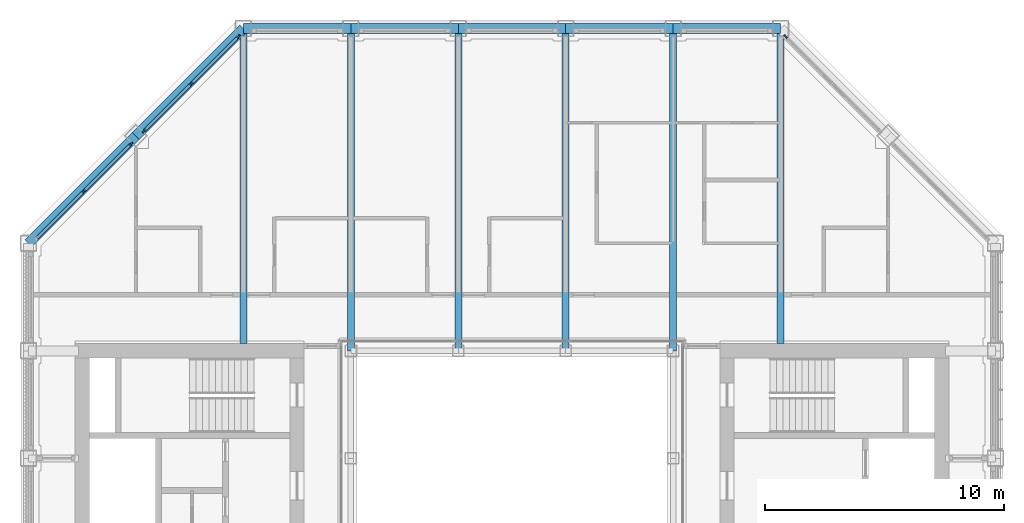
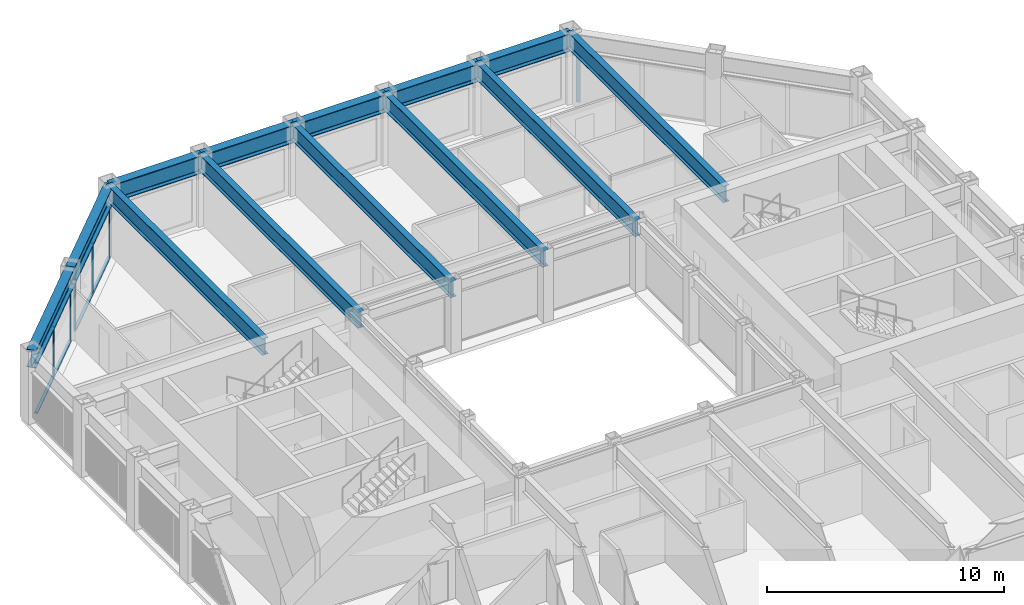
# One storey, part 6 of 18: 14 members, 13 beams, 3 elements without a shape of their own.
"""IFC4 building model written with IfcOpenShell, lengths in metres."""

from ifc_helpers import new_model, si_unit, direction, frame, origin, origin_2d, place, context, subcontext, project, spatial, rectangle, i_section, extrude, material, material_profile, profile_set, type_object, element, aggregate, save


model = new_model("IFC4")

# Units and contexts
model_context = context("Model", 3, precision=1e-05, world=origin(), true_north=direction((0.0, 1.0)))
body_context = subcontext(model_context, "Body", "Model", "MODEL_VIEW")
ifc_project = project(units=[si_unit("LENGTHUNIT", "METRE"), si_unit("AREAUNIT", "SQUARE_METRE"), si_unit("VOLUMEUNIT", "CUBIC_METRE"), si_unit("PLANEANGLEUNIT", "RADIAN"), si_unit("MASSUNIT", "GRAM", prefix="KILO")], contexts=[model_context])

# Site, building, storey
site_placement = place(None, origin())
site = spatial("IfcSite", under=ifc_project, at=site_placement, CompositionType="ELEMENT")
building_placement = place(site_placement, origin())
building = spatial("IfcBuilding", under=site, at=building_placement, Name="Msasa Ring Tower", CompositionType="ELEMENT")
storey_placement = place(building_placement, frame((0.0, 0.0, 227.050048828125)))
storey = spatial("IfcBuildingStorey", under=building, at=storey_placement, Name="L59", CompositionType="ELEMENT", Elevation=227.050048828125)

# Curtain wall, member
ifc_material_1 = material(Name="Aluminium curtain wall with clear glass", Category="aluminium")
curtain_wall_type = type_object("IfcCurtainWallType", Name="CW-C CHAMFER CORNER CURTAIN WALL", PredefinedType="NOTDEFINED", material=ifc_material_1)
curtain_wall_1_placement = place(storey_placement, origin())
curtain_wall_1 = element("IfcCurtainWall", 1, at=curtain_wall_1_placement, inside=storey, type_object=curtain_wall_type, Name="Chamfer corner curtain wall NE L59", PredefinedType="NOTDEFINED")
ifc_material_2 = material(Name="Aluminium mullion", Category="aluminium")
ifc_material_profile_1 = material_profile(ifc_material_2, rectangle(XDim=0.06494140625, YDim=0.179931640625, at=origin_2d()), Name="AL 65x180")
ifc_profile_set_1 = profile_set([ifc_material_profile_1], Name="Aluminium mullion")
member_type_1 = type_object("IfcMemberType", Name="CW-C MULLION 65x180", PredefinedType="MULLION", material=ifc_profile_set_1)
member_1_placement = place(storey_placement, frame((11.453369140625, 19.9052734375, 0.0), z_axis=(0.0, 0.0, 1.0), x_axis=(-0.707106781187, -0.707106781187, 0.0)))
member_1 = element("IfcMember", 2, at=member_1_placement, type_object=member_type_1, Name="CW-C mullion 3", PredefinedType="MULLION", context=body_context, shape_type="SweptSolid", body=[
    extrude(rectangle(XDim=0.06494140625, YDim=0.179931640625, at=origin_2d()), origin(), (0.0, 0.0, 1.0), 2.62890625),
])
aggregate(curtain_wall_1, [member_1])

# Curtain wall, members
curtain_wall_2_placement = place(storey_placement, origin())
curtain_wall_2 = element("IfcCurtainWall", 3, at=curtain_wall_2_placement, inside=storey, type_object=curtain_wall_type, Name="Chamfer corner curtain wall NW L59", PredefinedType="NOTDEFINED")
member_2_placement = place(storey_placement, frame((-15.953369140625, 15.4052734375, 0.0), z_axis=(0.0, 0.0, 1.0), x_axis=(0.707106781187, -0.707106781187, 0.0)))
member_2 = element("IfcMember", 4, at=member_2_placement, type_object=member_type_1, Name="CW-C mullion 1", PredefinedType="MULLION", context=body_context, shape_type="SweptSolid", body=[
    extrude(rectangle(XDim=0.06494140625, YDim=0.179931640625, at=origin_2d()), origin(), (0.0, 0.0, 1.0), 2.62890625),
])
member_3_placement = place(storey_placement, frame((-17.92919921875, 13.42919921875, 0.0), z_axis=(0.0, 0.0, 1.0), x_axis=(0.707106781187, -0.707106781187, 0.0)))
member_3 = element("IfcMember", 5, at=member_3_placement, type_object=member_type_1, Name="CW-C mullion 2", PredefinedType="MULLION", context=body_context, shape_type="SweptSolid", body=[
    extrude(rectangle(XDim=0.06494140625, YDim=0.179931640625, at=origin_2d()), origin(), (0.0, 0.0, 1.0), 2.62890625),
])

curtain_wall_3_placement = place(storey_placement, origin())
curtain_wall_3 = element("IfcCurtainWall", 6, at=curtain_wall_3_placement, inside=storey, type_object=curtain_wall_type, Name="Chamfer corner curtain wall NW L59", PredefinedType="NOTDEFINED")
member_4_placement = place(storey_placement, frame((-11.453369140625, 19.9052734375, 0.0), z_axis=(0.0, 0.0, 1.0), x_axis=(0.707106781187, -0.707106781187, 0.0)))
member_4 = element("IfcMember", 7, at=member_4_placement, type_object=member_type_1, Name="CW-C mullion 1", PredefinedType="MULLION", context=body_context, shape_type="SweptSolid", body=[
    extrude(rectangle(XDim=0.06494140625, YDim=0.179931640625, at=origin_2d()), origin(), (0.0, 0.0, 1.0), 2.62890625),
])
member_5_placement = place(storey_placement, frame((-13.42919921875, 17.92919921875, 0.0), z_axis=(0.0, 0.0, 1.0), x_axis=(0.707106781187, -0.707106781187, 0.0)))
member_5 = element("IfcMember", 8, at=member_5_placement, type_object=member_type_1, Name="CW-C mullion 2", PredefinedType="MULLION", context=body_context, shape_type="SweptSolid", body=[
    extrude(rectangle(XDim=0.06494140625, YDim=0.179931640625, at=origin_2d()), origin(), (0.0, 0.0, 1.0), 2.62890625),
])
member_6_placement = place(storey_placement, frame((-15.4052734375, 15.953369140625, 0.0), z_axis=(0.0, 0.0, 1.0), x_axis=(0.707106781187, -0.707106781187, 0.0)))
member_6 = element("IfcMember", 9, at=member_6_placement, type_object=member_type_1, Name="CW-C mullion 3", PredefinedType="MULLION", context=body_context, shape_type="SweptSolid", body=[
    extrude(rectangle(XDim=0.06494140625, YDim=0.179931640625, at=origin_2d()), origin(), (0.0, 0.0, 1.0), 2.62890625),
])

# Member
ifc_material_3 = material(Name="Aluminium transom", Category="aluminium")
ifc_material_profile_2 = material_profile(ifc_material_3, rectangle(XDim=0.139892578125, YDim=0.06494140625, at=origin_2d()), Name="AL 65x140")
ifc_profile_set_2 = profile_set([ifc_material_profile_2], Name="Aluminium transom")
member_type_2 = type_object("IfcMemberType", Name="CW-C TRANSOM 65x140", PredefinedType="USERDEFINED", material=ifc_profile_set_2)
member_7_placement = place(storey_placement, frame((-15.976318359375, 15.38232421875, 0.032470703125), z_axis=(-0.707106781187, -0.707106781187, 0.0), x_axis=(0.707106781187, -0.707106781187, 0.0)))
member_7 = element("IfcMember", 10, at=member_7_placement, type_object=member_type_2, Name="CW-C transom 1.1", ObjectType="TRANSOM", PredefinedType="USERDEFINED", context=body_context, shape_type="SweptSolid", body=[
    extrude(rectangle(XDim=0.139892578125, YDim=0.06494140625, at=origin_2d()), origin(), (0.0, 0.0, 1.0), 2.729248046875),
])

member_8_placement = place(storey_placement, frame((-15.976318359375, 15.38232421875, 2.596435546875), z_axis=(-0.707106781187, -0.707106781187, 0.0), x_axis=(0.707106781187, -0.707106781187, 0.0)))
member_8 = element("IfcMember", 11, at=member_8_placement, type_object=member_type_2, Name="CW-C transom 1.2", ObjectType="TRANSOM", PredefinedType="USERDEFINED", context=body_context, shape_type="SweptSolid", body=[
    extrude(rectangle(XDim=0.139892578125, YDim=0.06494140625, at=origin_2d()), origin(), (0.0, 0.0, 1.0), 2.729248046875),
])

member_9_placement = place(storey_placement, frame((-17.952392578125, 13.40625, 0.032470703125), z_axis=(-0.707106781187, -0.707106781187, 0.0), x_axis=(0.707106781187, -0.707106781187, 0.0)))
member_9 = element("IfcMember", 12, at=member_9_placement, type_object=member_type_2, Name="CW-C transom 2.1", ObjectType="TRANSOM", PredefinedType="USERDEFINED", context=body_context, shape_type="SweptSolid", body=[
    extrude(rectangle(XDim=0.139892578125, YDim=0.06494140625, at=origin_2d()), origin(), (0.0, 0.0, 1.0), 2.729248046875),
])

member_10_placement = place(storey_placement, frame((-17.952392578125, 13.40625, 2.596435546875), z_axis=(-0.707106781187, -0.707106781187, 0.0), x_axis=(0.707106781187, -0.707106781187, 0.0)))
member_10 = element("IfcMember", 13, at=member_10_placement, type_object=member_type_2, Name="CW-C transom 2.2", ObjectType="TRANSOM", PredefinedType="USERDEFINED", context=body_context, shape_type="SweptSolid", body=[
    extrude(rectangle(XDim=0.139892578125, YDim=0.06494140625, at=origin_2d()), origin(), (0.0, 0.0, 1.0), 2.729248046875),
])

aggregate(curtain_wall_2, [member_2, member_3, member_7, member_8, member_9, member_10])

member_11_placement = place(storey_placement, frame((-11.476318359375, 19.88232421875, 0.032470703125), z_axis=(-0.707106781187, -0.707106781187, 0.0), x_axis=(0.707106781187, -0.707106781187, 0.0)))
member_11 = element("IfcMember", 14, at=member_11_placement, type_object=member_type_2, Name="CW-C transom 1.1", ObjectType="TRANSOM", PredefinedType="USERDEFINED", context=body_context, shape_type="SweptSolid", body=[
    extrude(rectangle(XDim=0.139892578125, YDim=0.06494140625, at=origin_2d()), origin(), (0.0, 0.0, 1.0), 2.729248046875),
])

member_12_placement = place(storey_placement, frame((-11.476318359375, 19.88232421875, 2.596435546875), z_axis=(-0.707106781187, -0.707106781187, 0.0), x_axis=(0.707106781187, -0.707106781187, 0.0)))
member_12 = element("IfcMember", 15, at=member_12_placement, type_object=member_type_2, Name="CW-C transom 1.2", ObjectType="TRANSOM", PredefinedType="USERDEFINED", context=body_context, shape_type="SweptSolid", body=[
    extrude(rectangle(XDim=0.139892578125, YDim=0.06494140625, at=origin_2d()), origin(), (0.0, 0.0, 1.0), 2.729248046875),
])

member_13_placement = place(storey_placement, frame((-13.452392578125, 17.90625, 0.032470703125), z_axis=(-0.707106781187, -0.707106781187, 0.0), x_axis=(0.707106781187, -0.707106781187, 0.0)))
member_13 = element("IfcMember", 16, at=member_13_placement, type_object=member_type_2, Name="CW-C transom 2.1", ObjectType="TRANSOM", PredefinedType="USERDEFINED", context=body_context, shape_type="SweptSolid", body=[
    extrude(rectangle(XDim=0.139892578125, YDim=0.06494140625, at=origin_2d()), origin(), (0.0, 0.0, 1.0), 2.729248046875),
])

member_14_placement = place(storey_placement, frame((-13.452392578125, 17.90625, 2.596435546875), z_axis=(-0.707106781187, -0.707106781187, 0.0), x_axis=(0.707106781187, -0.707106781187, 0.0)))
member_14 = element("IfcMember", 17, at=member_14_placement, type_object=member_type_2, Name="CW-C transom 2.2", ObjectType="TRANSOM", PredefinedType="USERDEFINED", context=body_context, shape_type="SweptSolid", body=[
    extrude(rectangle(XDim=0.139892578125, YDim=0.06494140625, at=origin_2d()), origin(), (0.0, 0.0, 1.0), 2.729248046875),
])

aggregate(curtain_wall_3, [member_4, member_5, member_6, member_11, member_12, member_13, member_14])

# Beams
ifc_material_4 = material(Name="Steel S355", Category="steel")
ifc_material_profile_3 = material_profile(ifc_material_4, i_section(OverallWidth=0.293701171875, OverallDepth=0.850830078125, WebThickness=0.01611328125, FlangeThickness=0.02685546875, FilletRadius=0.017822265625, at=origin_2d()), Name="UB 838x292x226")
ifc_profile_set_3 = profile_set([ifc_material_profile_3], Name="Steel S355")
beam_type_1 = type_object("IfcBeamType", Name="FB5 UB 838x292x226", PredefinedType="BEAM", material=ifc_profile_set_3)
beam_1_placement = place(storey_placement, frame((-11.25, 20.25, 3.12451171875), z_axis=(0.0, -1.0, 0.0), x_axis=(1.0, 0.0, 0.0)))
element("IfcBeam", 18, at=beam_1_placement, inside=storey, type_object=beam_type_1, Name="Floor beam N-11.25 under L60", PredefinedType="BEAM", context=body_context, shape_type="SweptSolid", body=[
    extrude(i_section(OverallWidth=0.293701171875, OverallDepth=0.850830078125, WebThickness=0.01611328125, FlangeThickness=0.02685546875, FilletRadius=0.017822265625, at=origin_2d()), origin(), (0.0, 0.0, 1.0), 13.199951171875),
])
for number, where, z_axis, x_axis, name in (
    (19, (-6.75, 20.25, 3.12451171875), (0.0, -1.0, 0.0), (1.0, 0.0, 0.0), "Floor beam N-6.75 under L60"),
    (20, (-2.25, 20.25, 3.12451171875), (0.0, -1.0, 0.0), (1.0, 0.0, 0.0), "Floor beam N-2.25 under L60"),
    (21, (2.25, 20.25, 3.12451171875), (0.0, -1.0, 0.0), (1.0, 0.0, 0.0), "Floor beam N+2.25 under L60"),
    (22, (6.75, 20.25, 3.12451171875), (0.0, -1.0, 0.0), (1.0, 0.0, 0.0), "Floor beam N+6.75 under L60"),
):
    element("IfcBeam", number, at=place(storey_placement, frame(where, z_axis=z_axis, x_axis=x_axis)), inside=storey, type_object=beam_type_1, Name=name, PredefinedType="BEAM", context=body_context, shape_type="SweptSolid", body=[
        extrude(i_section(OverallWidth=0.293701171875, OverallDepth=0.850830078125, WebThickness=0.01611328125, FlangeThickness=0.02685546875, FilletRadius=0.017822265625, at=origin_2d()), origin(), (0.0, 0.0, 1.0), 13.5),
    ])
beam_2_placement = place(storey_placement, frame((11.25, 20.25, 3.12451171875), z_axis=(0.0, -1.0, 0.0), x_axis=(1.0, 0.0, 0.0)))
element("IfcBeam", 23, at=beam_2_placement, inside=storey, type_object=beam_type_1, Name="Floor beam N+11.25 under L60", PredefinedType="BEAM", context=body_context, shape_type="SweptSolid", body=[
    extrude(i_section(OverallWidth=0.293701171875, OverallDepth=0.850830078125, WebThickness=0.01611328125, FlangeThickness=0.02685546875, FilletRadius=0.017822265625, at=origin_2d()), origin(), (0.0, 0.0, 1.0), 13.199951171875),
])
ifc_material_5 = material(Name="Steel S355", Category="steel")
ifc_material_profile_4 = material_profile(ifc_material_5, i_section(OverallWidth=0.42041015625, OverallDepth=0.9208984375, WebThickness=0.021484375, FlangeThickness=0.03662109375, FilletRadius=0.024169921875, at=origin_2d()), Name="UB 914x419x388")
ifc_profile_set_4 = profile_set([ifc_material_profile_4], Name="Steel S355")
beam_type_2 = type_object("IfcBeamType", Name="SB1 UB 914x419x388", PredefinedType="SPANDREL", material=ifc_profile_set_4)
for number, where, z_axis, x_axis, name in (
    (24, (11.25, 20.25, 3.08935546875), (-1.0, 0.0, 0.0), (0.0, -1.0, 0.0), "Spandrel N+11.25 to N+6.75 under L60"),
    (25, (6.75, 20.25, 3.08935546875), (-1.0, 0.0, 0.0), (0.0, -1.0, 0.0), "Spandrel N+6.75 to N+2.25 under L60"),
    (26, (2.25, 20.25, 3.08935546875), (-1.0, 0.0, 0.0), (0.0, -1.0, 0.0), "Spandrel N+2.25 to N-2.25 under L60"),
    (27, (-2.25, 20.25, 3.08935546875), (-1.0, 0.0, 0.0), (0.0, -1.0, 0.0), "Spandrel N-2.25 to N-6.75 under L60"),
    (28, (-6.75, 20.25, 3.08935546875), (-1.0, 0.0, 0.0), (0.0, -1.0, 0.0), "Spandrel N-6.75 to N-11.25 under L60"),
):
    element("IfcBeam", number, at=place(storey_placement, frame(where, z_axis=z_axis, x_axis=x_axis)), inside=storey, type_object=beam_type_2, Name=name, PredefinedType="SPANDREL", context=body_context, shape_type="SweptSolid", body=[
        extrude(i_section(OverallWidth=0.42041015625, OverallDepth=0.9208984375, WebThickness=0.021484375, FlangeThickness=0.03662109375, FilletRadius=0.024169921875, at=origin_2d()), origin(), (0.0, 0.0, 1.0), 4.5),
    ])
for number, where, z_axis, x_axis, name in (
    (29, (-11.25, 20.25, 3.08935546875), (-0.707106781187, -0.707106781187, 0.0), (0.707106781187, -0.707106781187, 0.0), "Spandrel N-11.25 to NW under L60"),
    (30, (-15.75, 15.75, 3.08935546875), (-0.707106781187, -0.707106781187, 0.0), (0.707106781187, -0.707106781187, 0.0), "Spandrel NW to W+11.25 under L60"),
):
    element("IfcBeam", number, at=place(storey_placement, frame(where, z_axis=z_axis, x_axis=x_axis)), inside=storey, type_object=beam_type_2, Name=name, PredefinedType="SPANDREL", context=body_context, shape_type="SweptSolid", body=[
        extrude(i_section(OverallWidth=0.42041015625, OverallDepth=0.9208984375, WebThickness=0.021484375, FlangeThickness=0.03662109375, FilletRadius=0.024169921875, at=origin_2d()), origin(), (0.0, 0.0, 1.0), 6.364013671875),
    ])

save(model, "model.ifc")
